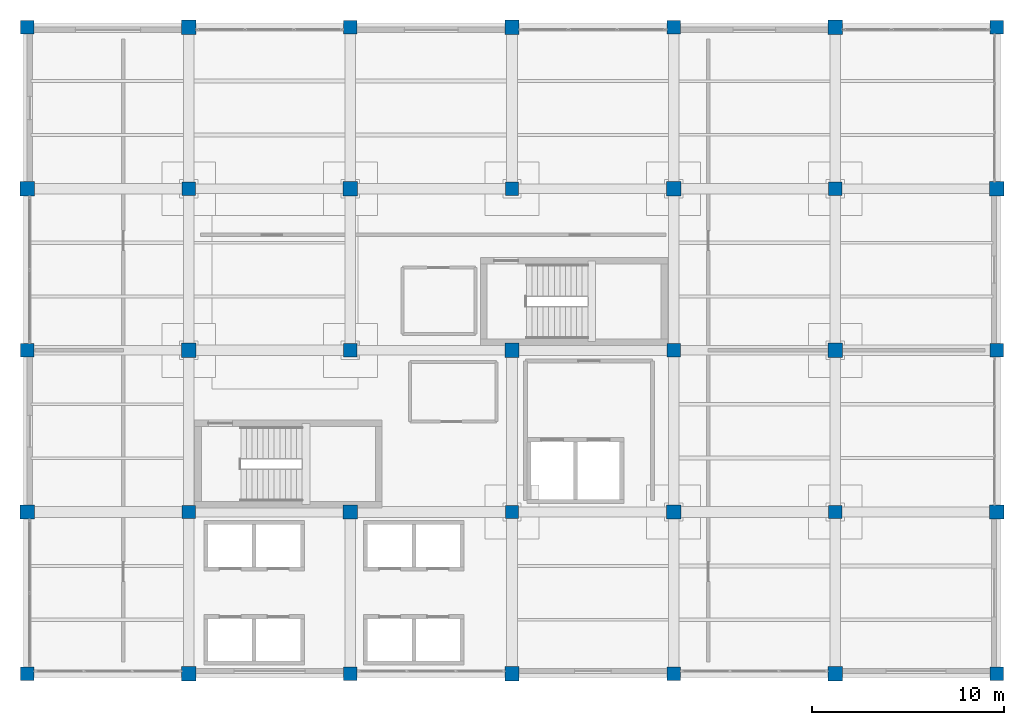
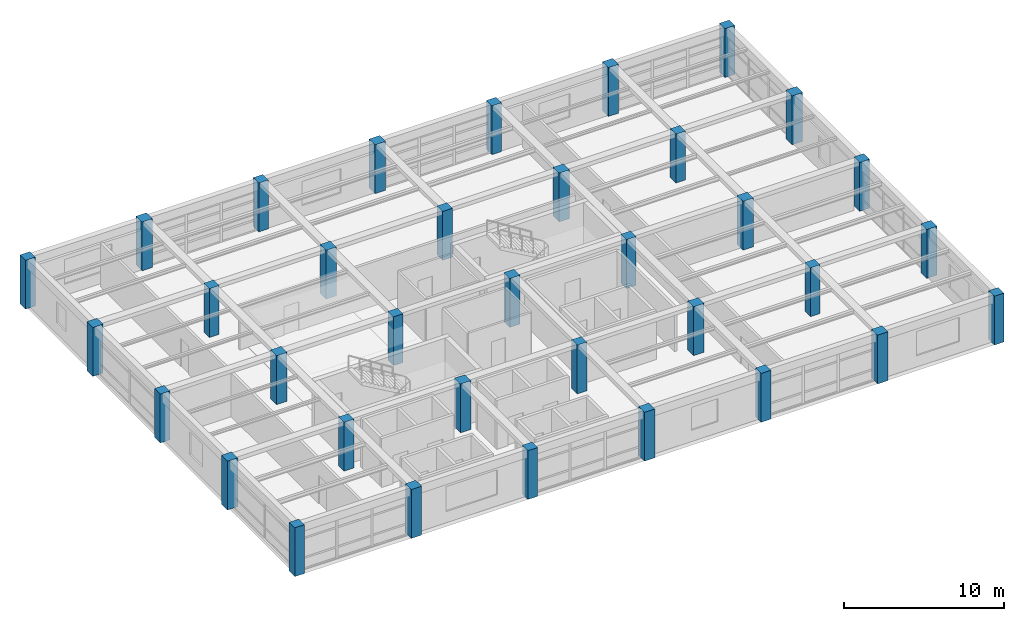
# One storey, part 1 of 26: 35 columns.
"""IFC4 building model written with IfcOpenShell, lengths in metres."""

from ifc_helpers import new_model, si_unit, direction, frame, origin, origin_2d, place, context, subcontext, project, spatial, rectangle, extrude, material, material_profile, profile_set, type_object, element, save


model = new_model("IFC4")

# Units and contexts
model_context = context("Model", 3, precision=1e-05, world=origin(), true_north=direction((0.0, 1.0)))
body_context = subcontext(model_context, "Body", "Model", "MODEL_VIEW")
ifc_project = project(units=[si_unit("LENGTHUNIT", "METRE"), si_unit("AREAUNIT", "SQUARE_METRE"), si_unit("VOLUMEUNIT", "CUBIC_METRE"), si_unit("PLANEANGLEUNIT", "RADIAN"), si_unit("MASSUNIT", "GRAM", prefix="KILO")], contexts=[model_context])

# Site, building, storey
site_placement = place(None, origin())
site = spatial("IfcSite", under=ifc_project, at=site_placement, CompositionType="ELEMENT")
building_placement = place(site_placement, origin())
building = spatial("IfcBuilding", under=site, at=building_placement, Name="Almacenes y Pasaje Nevantli", CompositionType="ELEMENT")
storey_placement = place(building_placement, frame((0.0, 0.0, 30.699951171875)))
storey = spatial("IfcBuildingStorey", under=building, at=storey_placement, Name="L07", CompositionType="ELEMENT", Elevation=30.699951171875)

# Columns
ifc_material_1 = material(Name="Concrete C45/55", Category="concrete")
ifc_material_profile_1 = material_profile(ifc_material_1, rectangle(XDim=0.699951171875, YDim=0.699951171875, at=origin_2d()), Name="RC-COL-700x700")
ifc_profile_set_1 = profile_set([ifc_material_profile_1], Name="Concrete C45/55")
column_type_1 = type_object("IfcColumnType", Name="COL-RC-700", PredefinedType="COLUMN", material=ifc_profile_set_1)
for number, where, z_axis, x_axis, name in (
    (1, (109.199951171875, 67.199951171875, 0.0), (0.0, 0.0, 1.0), (1.0, 0.0, 0.0), "L07 Reinforced Concrete Column CL-06 #2106"),
    (2, (109.199951171875, 84.0, 0.0), (0.0, 0.0, 1.0), (1.0, 0.0, 0.0), "L07 Reinforced Concrete Column CL-06 #2108"),
    (3, (109.199951171875, 100.800048828125, 0.0), (0.0, 0.0, 1.0), (1.0, 0.0, 0.0), "L07 Reinforced Concrete Column CL-06 #2110"),
    (4, (117.60009765625, 75.60009765625, 0.0), (0.0, 0.0, 1.0), (1.0, 0.0, 0.0), "L07 Reinforced Concrete Column CL-06 #2112"),
    (5, (117.60009765625, 92.39990234375, 0.0), (0.0, 0.0, 1.0), (1.0, 0.0, 0.0), "L07 Reinforced Concrete Column CL-06 #2114"),
    (6, (126.0, 67.199951171875, 0.0), (0.0, 0.0, 1.0), (1.0, 0.0, 0.0), "L07 Reinforced Concrete Column CL-06 #2116"),
    (7, (126.0, 84.0, 0.0), (0.0, 0.0, 1.0), (1.0, 0.0, 0.0), "L07 Reinforced Concrete Column CL-06 #2118"),
    (8, (126.0, 100.800048828125, 0.0), (0.0, 0.0, 1.0), (1.0, 0.0, 0.0), "L07 Reinforced Concrete Column CL-06 #2120"),
    (9, (134.39990234375, 75.60009765625, 0.0), (0.0, 0.0, 1.0), (1.0, 0.0, 0.0), "L07 Reinforced Concrete Column CL-06 #2122"),
    (10, (134.39990234375, 92.39990234375, 0.0), (0.0, 0.0, 1.0), (1.0, 0.0, 0.0), "L07 Reinforced Concrete Column CL-06 #2124"),
    (11, (142.800048828125, 67.199951171875, 0.0), (0.0, 0.0, 1.0), (1.0, 0.0, 0.0), "L07 Reinforced Concrete Column CL-06 #2126"),
    (12, (142.800048828125, 84.0, 0.0), (0.0, 0.0, 1.0), (1.0, 0.0, 0.0), "L07 Reinforced Concrete Column CL-06 #2128"),
    (13, (142.800048828125, 100.800048828125, 0.0), (0.0, 0.0, 1.0), (1.0, 0.0, 0.0), "L07 Reinforced Concrete Column CL-06 #2130"),
    (14, (151.199951171875, 75.60009765625, 0.0), (0.0, 0.0, 1.0), (1.0, 0.0, 0.0), "L07 Reinforced Concrete Column CL-06 #2132"),
    (15, (151.199951171875, 92.39990234375, 0.0), (0.0, 0.0, 1.0), (1.0, 0.0, 0.0), "L07 Reinforced Concrete Column CL-06 #2134"),
    (16, (159.60009765625, 67.199951171875, 0.0), (0.0, 0.0, 1.0), (1.0, 0.0, 0.0), "L07 Reinforced Concrete Column CL-06 #2136"),
    (17, (159.60009765625, 84.0, 0.0), (0.0, 0.0, 1.0), (1.0, 0.0, 0.0), "L07 Reinforced Concrete Column CL-06 #2138"),
    (18, (159.60009765625, 100.800048828125, 0.0), (0.0, 0.0, 1.0), (1.0, 0.0, 0.0), "L07 Reinforced Concrete Column CL-06 #2140"),
):
    element("IfcColumn", number, at=place(storey_placement, frame(where, z_axis=z_axis, x_axis=x_axis)), inside=storey, type_object=column_type_1, Name=name, PredefinedType="COLUMN", context=body_context, shape_type="SweptSolid", body=[
        extrude(rectangle(XDim=0.699951171875, YDim=0.699951171875, at=origin_2d()), origin(), (0.0, 0.0, 1.0), 3.719970703125),
    ])
ifc_material_2 = material(Name="Concrete C45/55", Category="concrete")
ifc_material_profile_2 = material_profile(ifc_material_2, rectangle(XDim=0.75, YDim=0.75, at=origin_2d()), Name="RC-COL-750x750")
ifc_profile_set_2 = profile_set([ifc_material_profile_2], Name="Concrete C45/55")
column_type_2 = type_object("IfcColumnType", Name="COL-RC-750", PredefinedType="COLUMN", material=ifc_profile_set_2)
for number, where, z_axis, x_axis, name in (
    (19, (109.199951171875, 75.60009765625, 0.0), (0.0, 0.0, 1.0), (1.0, 0.0, 0.0), "L07 Reinforced Concrete Column CL-05 #2107"),
    (20, (109.199951171875, 92.39990234375, 0.0), (0.0, 0.0, 1.0), (1.0, 0.0, 0.0), "L07 Reinforced Concrete Column CL-05 #2109"),
    (21, (117.60009765625, 67.199951171875, 0.0), (0.0, 0.0, 1.0), (1.0, 0.0, 0.0), "L07 Reinforced Concrete Column CL-05 #2111"),
    (22, (117.60009765625, 84.0, 0.0), (0.0, 0.0, 1.0), (1.0, 0.0, 0.0), "L07 Reinforced Concrete Column CL-05 #2113"),
    (23, (117.60009765625, 100.800048828125, 0.0), (0.0, 0.0, 1.0), (1.0, 0.0, 0.0), "L07 Reinforced Concrete Column CL-05 #2115"),
    (24, (126.0, 75.60009765625, 0.0), (0.0, 0.0, 1.0), (1.0, 0.0, 0.0), "L07 Reinforced Concrete Column CL-05 #2117"),
    (25, (126.0, 92.39990234375, 0.0), (0.0, 0.0, 1.0), (1.0, 0.0, 0.0), "L07 Reinforced Concrete Column CL-05 #2119"),
    (26, (134.39990234375, 67.199951171875, 0.0), (0.0, 0.0, 1.0), (1.0, 0.0, 0.0), "L07 Reinforced Concrete Column CL-05 #2121"),
    (27, (134.39990234375, 84.0, 0.0), (0.0, 0.0, 1.0), (1.0, 0.0, 0.0), "L07 Reinforced Concrete Column CL-05 #2123"),
    (28, (134.39990234375, 100.800048828125, 0.0), (0.0, 0.0, 1.0), (1.0, 0.0, 0.0), "L07 Reinforced Concrete Column CL-05 #2125"),
    (29, (142.800048828125, 75.60009765625, 0.0), (0.0, 0.0, 1.0), (1.0, 0.0, 0.0), "L07 Reinforced Concrete Column CL-05 #2127"),
    (30, (142.800048828125, 92.39990234375, 0.0), (0.0, 0.0, 1.0), (1.0, 0.0, 0.0), "L07 Reinforced Concrete Column CL-05 #2129"),
    (31, (151.199951171875, 67.199951171875, 0.0), (0.0, 0.0, 1.0), (1.0, 0.0, 0.0), "L07 Reinforced Concrete Column CL-05 #2131"),
    (32, (151.199951171875, 84.0, 0.0), (0.0, 0.0, 1.0), (1.0, 0.0, 0.0), "L07 Reinforced Concrete Column CL-05 #2133"),
    (33, (151.199951171875, 100.800048828125, 0.0), (0.0, 0.0, 1.0), (1.0, 0.0, 0.0), "L07 Reinforced Concrete Column CL-05 #2135"),
    (34, (159.60009765625, 75.60009765625, 0.0), (0.0, 0.0, 1.0), (1.0, 0.0, 0.0), "L07 Reinforced Concrete Column CL-05 #2137"),
    (35, (159.60009765625, 92.39990234375, 0.0), (0.0, 0.0, 1.0), (1.0, 0.0, 0.0), "L07 Reinforced Concrete Column CL-05 #2139"),
):
    element("IfcColumn", number, at=place(storey_placement, frame(where, z_axis=z_axis, x_axis=x_axis)), inside=storey, type_object=column_type_2, Name=name, PredefinedType="COLUMN", context=body_context, shape_type="SweptSolid", body=[
        extrude(rectangle(XDim=0.75, YDim=0.75, at=origin_2d()), origin(), (0.0, 0.0, 1.0), 3.719970703125),
    ])

save(model, "model.ifc")
